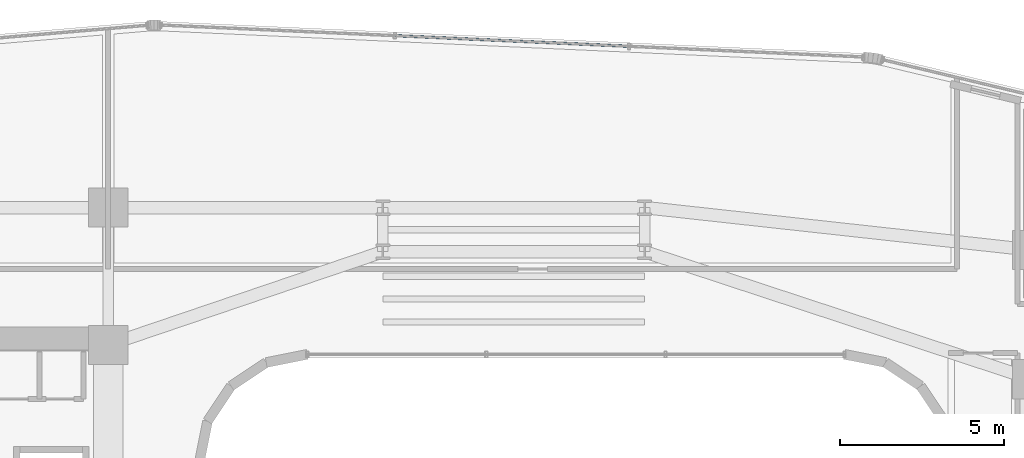
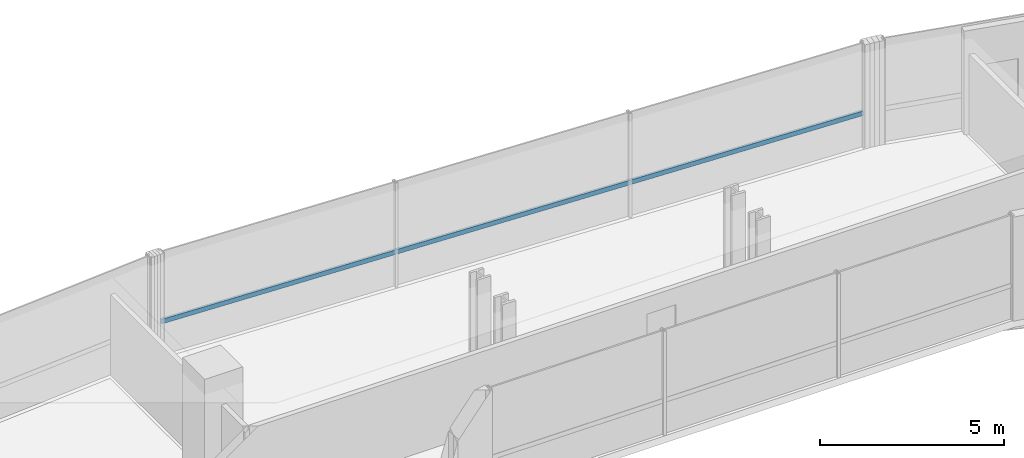
# One storey, part 22 of 35: 1 member, 1 element without a shape of its own.
"""IFC4 building model written with IfcOpenShell, lengths in metres."""

from ifc_helpers import new_model, si_unit, direction, frame, origin, origin_2d, place, context, subcontext, project, spatial, hollow_rectangle, extrude, source, transform, mapped, material, material_profile, profile_set, type_object, element, aggregate, save


model = new_model("IFC4")

# Units and contexts
model_context = context("Model", 3, precision=1e-05, world=origin(), true_north=direction((0.0, 1.0)))
body_context = subcontext(model_context, "Body", "Model", "MODEL_VIEW")
ifc_project = project(units=[si_unit("LENGTHUNIT", "METRE"), si_unit("AREAUNIT", "SQUARE_METRE"), si_unit("VOLUMEUNIT", "CUBIC_METRE"), si_unit("PLANEANGLEUNIT", "RADIAN"), si_unit("MASSUNIT", "GRAM", prefix="KILO")], contexts=[model_context])

# Site, building, storey
site_placement = place(None, origin())
site = spatial("IfcSite", under=ifc_project, at=site_placement, CompositionType="ELEMENT")
building_placement = place(site_placement, origin())
building = spatial("IfcBuilding", under=site, at=building_placement, Name="Valdorenza Pilgrim Sanctuary Tower", CompositionType="ELEMENT")
storey_placement = place(building_placement, frame((0.0, 0.0, 124.199951171875)))
storey = spatial("IfcBuildingStorey", under=building, at=storey_placement, Name="L31", CompositionType="ELEMENT", Elevation=124.199951171875)

# Curtain wall, member
ifc_material_1 = material(Name="Curtain-wall IGU glazing", Category="glass")
curtain_wall_type = type_object("IfcCurtainWallType", Name="CW-SYS-02", PredefinedType="NOTDEFINED", material=ifc_material_1)
curtain_wall_placement = place(storey_placement, origin())
curtain_wall = element("IfcCurtainWall", 1, at=curtain_wall_placement, inside=storey, type_object=curtain_wall_type, Name="L31 Curtain Wall CW-L31-1-11", PredefinedType="NOTDEFINED")
ifc_material_2 = material(Name="Anodised aluminium AW-6060", Category="aluminium")
ifc_material_profile = material_profile(ifc_material_2, hollow_rectangle(XDim=0.074951171875, YDim=0.14990234375, WallThickness=0.00390625, at=origin_2d()), Name="ALU-T 150x75x4")
ifc_profile_set = profile_set([ifc_material_profile], Name="Anodised aluminium AW-6060")
member_type = type_object("IfcMemberType", Name="CW-TRN-02", PredefinedType="USERDEFINED", material=ifc_profile_set)
shared_shape = source(origin(), body_context, "Body", "SweptSolid", [
    extrude(hollow_rectangle(XDim=0.074951171875, YDim=0.14990234375, WallThickness=0.00390625, at=origin_2d()), origin(), (0.0, 0.0, 1.0), 21.5078125),
])
member_placement = place(storey_placement, frame((-10.795654296875, 20.380615234375, 1.1201171875), z_axis=(0.99896865723, -0.045405086403, 0.0), x_axis=(0.045405086403, 0.99896865723, 0.0)))
member = element("IfcMember", 2, at=member_placement, type_object=member_type, Name="CW-L31-1-11 Transom 1", ObjectType="TRANSOM", PredefinedType="USERDEFINED", context=body_context, shape_type="MappedRepresentation", body=[
    mapped(shared_shape, transform((0.0, 0.0, 0.0), x_axis=(1.0, 0.0, 0.0), y_axis=(0.0, 1.0, 0.0), z_axis=(0.0, 0.0, 1.0), scale=1.0)),
])
aggregate(curtain_wall, [member])

save(model, "model.ifc")
